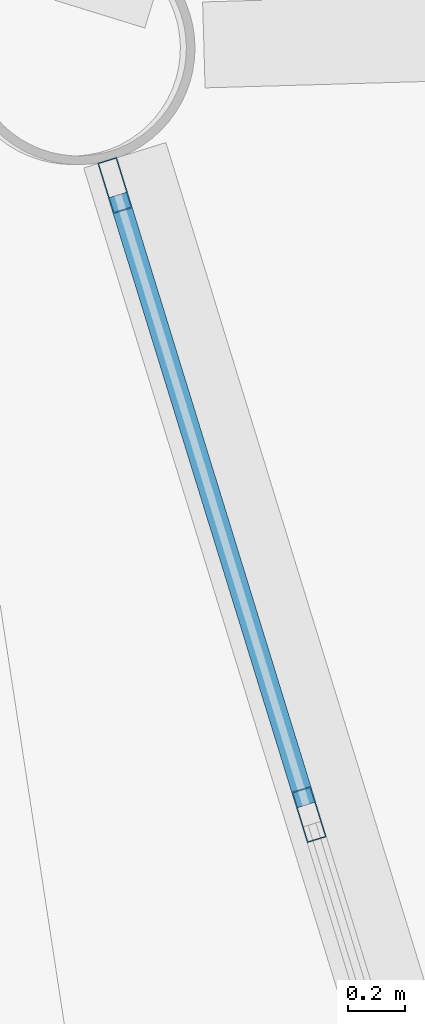
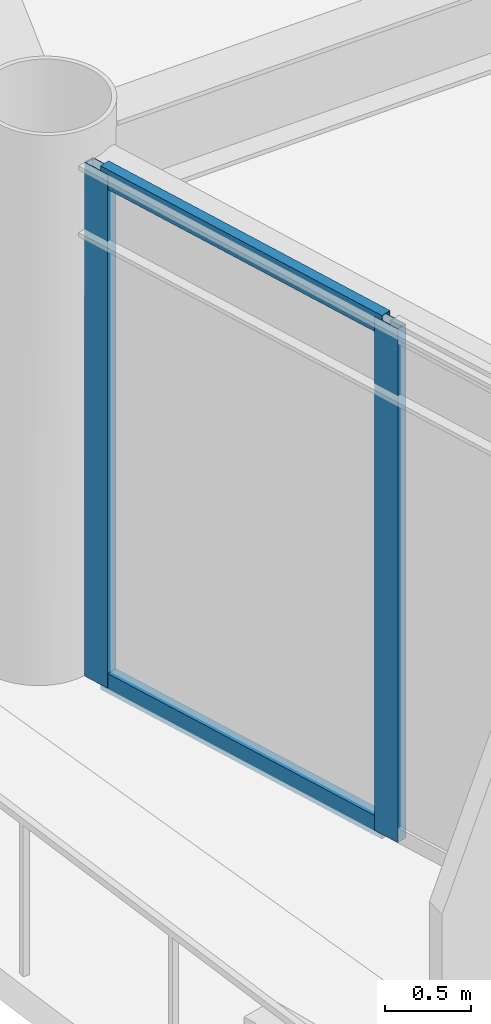
# One storey, part 8 of 26: 4 members, 1 element without a shape of its own.
"""IFC4 building model written with IfcOpenShell, lengths in metres."""

from ifc_helpers import new_model, si_unit, direction, frame, origin, origin_2d, place, context, subcontext, project, spatial, hollow_rectangle, extrude, material, layer, layer_set, material_profile, profile_set, type_object, element, aggregate, save


model = new_model("IFC4")

# Units and contexts
model_context = context("Model", 3, precision=1e-05, world=origin(), true_north=direction((0.0, 1.0)))
body_context = subcontext(model_context, "Body", "Model", "MODEL_VIEW")
ifc_project = project(units=[si_unit("LENGTHUNIT", "METRE"), si_unit("AREAUNIT", "SQUARE_METRE"), si_unit("VOLUMEUNIT", "CUBIC_METRE"), si_unit("PLANEANGLEUNIT", "RADIAN"), si_unit("MASSUNIT", "GRAM", prefix="KILO")], contexts=[model_context])

# Site, building, storey
site_placement = place(None, origin())
site = spatial("IfcSite", under=ifc_project, at=site_placement, CompositionType="ELEMENT")
building_placement = place(site_placement, origin())
building = spatial("IfcBuilding", under=site, at=building_placement, Name="Varnakorn Sky Granary", CompositionType="ELEMENT")
storey_placement = place(building_placement, frame((0.0, 0.0, 95.39990234375)))
storey = spatial("IfcBuildingStorey", under=building, at=storey_placement, Name="L23", CompositionType="ELEMENT", Elevation=95.39990234375)

# Curtain wall, members
ifc_material = material(Name="Anodised Bronze Aluminium Alloy 6063-T6", Category="aluminium")
ifc_layer = layer(ifc_material, 0.18994140625, Name="Anodised Bronze Aluminium Alloy 6063-T6")
ifc_layer_set = layer_set([ifc_layer], Name="Anodised Bronze Aluminium Alloy 6063-T6")
curtain_wall_type = type_object("IfcCurtainWallType", Name="CW-FRM-1", PredefinedType="USERDEFINED", material=ifc_layer_set)
curtain_wall_placement = place(storey_placement, origin())
curtain_wall = element("IfcCurtainWall", 1, at=curtain_wall_placement, inside=storey, type_object=curtain_wall_type, Name="Unitised Curtain Wall CW3 CW-L23-B07", ObjectType="CURTAIN WALL", PredefinedType="USERDEFINED")
ifc_material_profile_1 = material_profile(ifc_material, hollow_rectangle(XDim=0.070068359375, YDim=0.18505859375, WallThickness=0.00390625, at=origin_2d()), Name="ALU MULL 70x185")
ifc_profile_set_1 = profile_set([ifc_material_profile_1], Name="Anodised Bronze Aluminium Alloy 6063-T6")
member_type_1 = type_object("IfcMemberType", Name="CW-FRM-1-MULL", PredefinedType="MULLION", material=ifc_profile_set_1)
member_1_placement = place(storey_placement, frame((-22.3916015625, -2.67529296875, 0.0), z_axis=(0.0, 0.0, 1.0), x_axis=(-0.955559588917, -0.294798019037, 0.0)))
member_1 = element("IfcMember", 2, at=member_1_placement, type_object=member_type_1, Name="CW3 mullion 4", PredefinedType="MULLION", context=body_context, shape_type="SweptSolid", body=[
    extrude(hollow_rectangle(XDim=0.070068359375, YDim=0.18505859375, WallThickness=0.00390625, at=origin_2d()), origin(), (0.0, 0.0, 1.0), 3.64013671875),
])
member_2_placement = place(storey_placement, frame((-23.069091796875, -0.479248046875, 0.0), z_axis=(0.0, 0.0, 1.0), x_axis=(-0.955559588917, -0.294798019037, 0.0)))
member_2 = element("IfcMember", 3, at=member_2_placement, type_object=member_type_1, Name="CW3 mullion 5", PredefinedType="MULLION", context=body_context, shape_type="SweptSolid", body=[
    extrude(hollow_rectangle(XDim=0.070068359375, YDim=0.18505859375, WallThickness=0.00390625, at=origin_2d()), origin(), (0.0, 0.0, 1.0), 3.64013671875),
])
ifc_material_profile_2 = material_profile(ifc_material, hollow_rectangle(XDim=0.070068359375, YDim=0.139892578125, WallThickness=0.00341796875, at=origin_2d()), Name="ALU TRAN 70x140")
ifc_profile_set_2 = profile_set([ifc_material_profile_2], Name="Anodised Bronze Aluminium Alloy 6063-T6")
member_type_2 = type_object("IfcMemberType", Name="CW-FRM-1-TRAN", PredefinedType="USERDEFINED", material=ifc_profile_set_2)
member_3_placement = place(storey_placement, frame((-22.40185546875, -2.641845703125, 0.03515625), z_axis=(-0.29484799455, 0.955544169628, 0.0), x_axis=(-0.955544169628, -0.29484799455, 0.0)))
member_3 = element("IfcMember", 4, at=member_3_placement, type_object=member_type_2, Name="CW3 transom 4.1", ObjectType="TRANSOM", PredefinedType="USERDEFINED", context=body_context, shape_type="SweptSolid", body=[
    extrude(hollow_rectangle(XDim=0.070068359375, YDim=0.139892578125, WallThickness=0.00341796875, at=origin_2d()), origin(), (0.0, 0.0, 1.0), 2.228271484375),
])
member_4_placement = place(storey_placement, frame((-22.40185546875, -2.641845703125, 3.60498046875), z_axis=(-0.29484799455, 0.955544169628, 0.0), x_axis=(-0.955544169628, -0.29484799455, 0.0)))
member_4 = element("IfcMember", 5, at=member_4_placement, type_object=member_type_2, Name="CW3 transom 4.2", ObjectType="TRANSOM", PredefinedType="USERDEFINED", context=body_context, shape_type="SweptSolid", body=[
    extrude(hollow_rectangle(XDim=0.070068359375, YDim=0.139892578125, WallThickness=0.00341796875, at=origin_2d()), origin(), (0.0, 0.0, 1.0), 2.228271484375),
])
aggregate(curtain_wall, [member_1, member_2, member_3, member_4])

save(model, "model.ifc")
